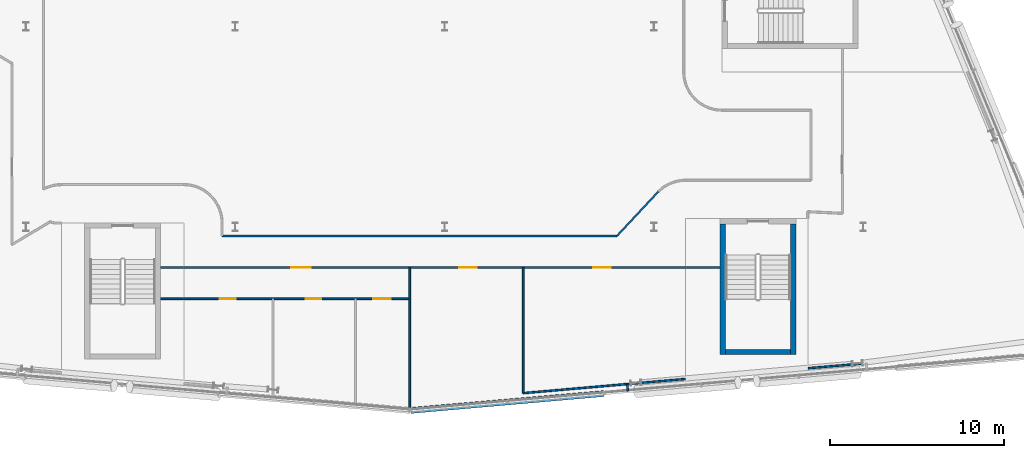
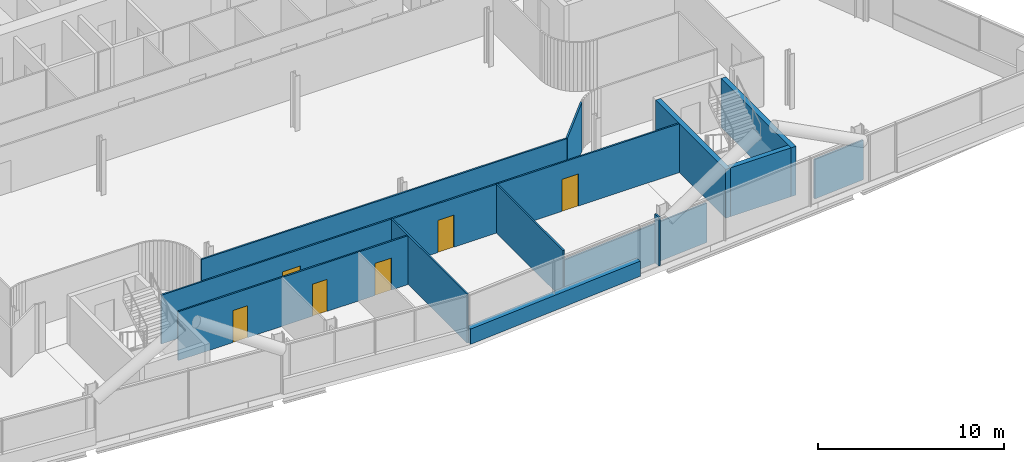
# One storey, part 16 of 29: 13 walls, 6 doors, 6 openings.
"""IFC4 building model written with IfcOpenShell, lengths in metres."""

from ifc_helpers import new_model, si_unit, direction, frame, frame_2d, origin, place, context, subcontext, project, spatial, rectangle, extrude, material, layer, layer_set, type_object, element, fill, save


model = new_model("IFC4")

# Units and contexts
model_context = context("Model", 3, precision=1e-05, world=origin(), true_north=direction((0.0, 1.0)))
body_context = subcontext(model_context, "Body", "Model", "MODEL_VIEW")
ifc_project = project(units=[si_unit("LENGTHUNIT", "METRE"), si_unit("AREAUNIT", "SQUARE_METRE"), si_unit("VOLUMEUNIT", "CUBIC_METRE"), si_unit("PLANEANGLEUNIT", "RADIAN"), si_unit("MASSUNIT", "GRAM", prefix="KILO")], contexts=[model_context])

# Site, building, storey
site_placement = place(None, origin())
site = spatial("IfcSite", under=ifc_project, at=site_placement, CompositionType="ELEMENT")
building_placement = place(site_placement, origin())
building = spatial("IfcBuilding", under=site, at=building_placement, Name="Wharfspan Tower", CompositionType="ELEMENT")
storey_placement = place(building_placement, frame((0.0, 0.0, 162.699951)))
storey = spatial("IfcBuildingStorey", under=building, at=storey_placement, Name="L39", CompositionType="ELEMENT", Elevation=162.699951)

# Wall, openings, doors
ifc_material_1 = material(Name="Gypsum board on steel studs", Category="steel")
ifc_layer_1 = layer(ifc_material_1, 0.100098)
ifc_layer_set_1 = layer_set([ifc_layer_1], Name="Gypsum board on steel studs")
wall_type_1 = type_object("IfcWallType", Name="Compartment wall 100 EI 60", PredefinedType="PARTITIONING", material=ifc_layer_set_1)
wall_1_placement = place(storey_placement, frame((31.714111, 9.179932, 0.0), z_axis=(0.0, 0.0, 1.0), x_axis=(1.0, 0.0, 0.0)))
wall_1 = element("IfcWall", 1, at=wall_1_placement, inside=storey, type_object=wall_type_1, Name="Partition L39.w029", PredefinedType="PARTITIONING", context=body_context, shape_type="SweptSolid", body=[
    extrude(rectangle(XDim=32.072266, YDim=0.100098, at=frame_2d((16.036133, 0.0))), origin(), (0.0, 0.0, 1.0), 3.199951),
])
opening_1_placement = place(wall_1_placement, frame((7.496582, 0.0, 0.0)))
opening_1 = element("IfcOpeningElement", 2, at=opening_1_placement, cuts=wall_1, Name="Opening C2-04", PredefinedType="OPENING", context=body_context, shape_type="SweptSolid", body=[
    extrude(rectangle(XDim=1.100098, YDim=2.100098, at=frame_2d((0.550049, 1.050049))), frame((0.0, 0.060059, 0.0), z_axis=(0.0, -1.0, 0.0), x_axis=(1.0, 0.0, 0.0)), (0.0, 0.0, 1.0), 0.120117),
])
opening_2_placement = place(wall_1_placement, frame((17.11084, 0.0, 0.0)))
opening_2 = element("IfcOpeningElement", 3, at=opening_2_placement, cuts=wall_1, Name="Opening C2-05", PredefinedType="OPENING", context=body_context, shape_type="SweptSolid", body=[
    extrude(rectangle(XDim=1.0, YDim=2.100098, at=frame_2d((0.5, 1.050049))), frame((0.0, 0.060059, 0.0), z_axis=(0.0, -1.0, 0.0), x_axis=(1.0, 0.0, 0.0)), (0.0, 0.0, 1.0), 0.120117),
])
opening_3_placement = place(wall_1_placement, frame((24.810791, 0.0, 0.0)))
opening_3 = element("IfcOpeningElement", 4, at=opening_3_placement, cuts=wall_1, Name="Opening C2-06", PredefinedType="OPENING", context=body_context, shape_type="SweptSolid", body=[
    extrude(rectangle(XDim=1.0, YDim=2.100098, at=frame_2d((0.5, 1.050049))), frame((0.0, 0.060059, 0.0), z_axis=(0.0, -1.0, 0.0), x_axis=(1.0, 0.0, 0.0)), (0.0, 0.0, 1.0), 0.120117),
])
ifc_material_2 = material(Name="Fire-rated timber door leaf in steel frame", Category="steel")
door_type_1 = type_object("IfcDoorType", Name="Door 1000 FD30S Right", OperationType="SINGLE_SWING_RIGHT", PredefinedType="DOOR", material=ifc_material_2)
door_1_placement = place(opening_2_placement, origin())
door_1 = element("IfcDoor", 5, at=door_1_placement, inside=storey, type_object=door_type_1, Name="Door C2-05", OperationType="SINGLE_SWING_RIGHT", OverallHeight=2.100098, OverallWidth=1.0, PredefinedType="DOOR", context=body_context, shape_type="SweptSolid", body=[
    extrude(rectangle(XDim=1.0, YDim=2.100098, at=frame_2d((0.5, 1.050049))), frame((0.0, 0.024902, 0.0), z_axis=(0.0, -1.0, 0.0), x_axis=(1.0, 0.0, 0.0)), (0.0, 0.0, 1.0), 0.050049),
])
fill(opening_2, door_1)
door_2_placement = place(opening_3_placement, origin())
door_2 = element("IfcDoor", 6, at=door_2_placement, inside=storey, type_object=door_type_1, Name="Door C2-06", OperationType="SINGLE_SWING_RIGHT", OverallHeight=2.100098, OverallWidth=1.0, PredefinedType="DOOR", context=body_context, shape_type="SweptSolid", body=[
    extrude(rectangle(XDim=1.0, YDim=2.100098, at=frame_2d((0.5, 1.050049))), frame((0.0, 0.024902, 0.0), z_axis=(0.0, -1.0, 0.0), x_axis=(1.0, 0.0, 0.0)), (0.0, 0.0, 1.0), 0.050049),
])
fill(opening_3, door_2)
door_type_2 = type_object("IfcDoorType", Name="Door 1100 FD30S Left", OperationType="SINGLE_SWING_LEFT", PredefinedType="DOOR", material=ifc_material_2)
door_3_placement = place(opening_1_placement, origin())
door_3 = element("IfcDoor", 7, at=door_3_placement, inside=storey, type_object=door_type_2, Name="Door C2-04", OperationType="SINGLE_SWING_LEFT", OverallHeight=2.100098, OverallWidth=1.100098, PredefinedType="DOOR", context=body_context, shape_type="SweptSolid", body=[
    extrude(rectangle(XDim=1.100098, YDim=2.100098, at=frame_2d((0.550049, 1.050049))), frame((0.0, 0.024902, 0.0), z_axis=(0.0, -1.0, 0.0), x_axis=(1.0, 0.0, 0.0)), (0.0, 0.0, 1.0), 0.050049),
])
fill(opening_1, door_3)

# Walls
wall_2_placement = place(storey_placement, frame((35.23999, 10.98999, 0.0), z_axis=(0.0, 0.0, 1.0), x_axis=(1.0, 0.0, 0.0)))
element("IfcWall", 8, at=wall_2_placement, inside=storey, type_object=wall_type_1, Name="Partition L39.w048", PredefinedType="PARTITIONING", context=body_context, shape_type="SweptSolid", body=[
    extrude(rectangle(XDim=22.63501, YDim=0.100098, at=frame_2d((11.317383, 0.0))), origin(), (0.0, 0.0, 1.0), 3.199951),
])
wall_3_placement = place(storey_placement, frame((46.0, 1.008057, 0.0), z_axis=(0.0, 0.0, 1.0), x_axis=(0.0, 1.0, 0.0)))
element("IfcWall", 9, at=wall_3_placement, inside=storey, type_object=wall_type_1, Name="Partition L39.w055", PredefinedType="PARTITIONING", context=body_context, shape_type="SweptSolid", body=[
    extrude(rectangle(XDim=8.171875, YDim=0.100098, at=frame_2d((4.085938, 0.0))), origin(), (0.0, 0.0, 1.0), 3.199951),
])
wall_4_placement = place(storey_placement, frame((52.5, 1.97998, 0.0), z_axis=(0.0, 0.0, 1.0), x_axis=(0.0, 1.0, 0.0)))
element("IfcWall", 10, at=wall_4_placement, inside=storey, type_object=wall_type_1, Name="Partition L39.w058", PredefinedType="PARTITIONING", context=body_context, shape_type="SweptSolid", body=[
    extrude(rectangle(XDim=7.205078, YDim=0.100098, at=frame_2d((3.602539, 0.0))), origin(), (0.0, 0.0, 1.0), 3.199951),
])
wall_5_placement = place(storey_placement, frame((57.875, 10.98999, 0.0), z_axis=(0.0, 0.0, 1.0), x_axis=(0.68229, 0.731075, 0.0)))
element("IfcWall", 11, at=wall_5_placement, inside=storey, type_object=wall_type_1, Name="Partition L39.w063", PredefinedType="PARTITIONING", context=body_context, shape_type="SweptSolid", body=[
    extrude(rectangle(XDim=3.488037, YDim=0.100098, at=frame_2d((1.744141, 0.0))), origin(), (0.0, 0.0, 1.0), 3.199951),
])

# Wall, openings, doors
ifc_layer_2 = layer(ifc_material_1, 0.100098)
ifc_layer_set_2 = layer_set([ifc_layer_2], Name="Gypsum board on steel studs")
wall_type_2 = type_object("IfcWallType", Name="Partition 100", PredefinedType="PARTITIONING", material=ifc_layer_set_2)
wall_6_placement = place(storey_placement, frame((31.714111, 7.38501, 0.0), z_axis=(0.0, 0.0, 1.0), x_axis=(1.0, 0.0, 0.0)))
wall_6 = element("IfcWall", 12, at=wall_6_placement, inside=storey, type_object=wall_type_2, Name="Partition L39.w028", PredefinedType="PARTITIONING", context=body_context, shape_type="SweptSolid", body=[
    extrude(rectangle(XDim=14.285889, YDim=0.100098, at=frame_2d((7.143066, 0.0))), origin(), (0.0, 0.0, 1.0), 3.199951),
])
opening_4_placement = place(wall_6_placement, frame((3.397705, 0.0, 0.0)))
opening_4 = element("IfcOpeningElement", 13, at=opening_4_placement, cuts=wall_6, Name="Opening C2-01", PredefinedType="OPENING", context=body_context, shape_type="SweptSolid", body=[
    extrude(rectangle(XDim=0.899902, YDim=2.100098, at=frame_2d((0.449951, 1.050049))), frame((0.0, 0.060059, 0.0), z_axis=(0.0, -1.0, 0.0), x_axis=(1.0, 0.0, 0.0)), (0.0, 0.0, 1.0), 0.120117),
])
opening_5_placement = place(wall_6_placement, frame((8.317627, 0.0, 0.0)))
opening_5 = element("IfcOpeningElement", 14, at=opening_5_placement, cuts=wall_6, Name="Opening C2-02", PredefinedType="OPENING", context=body_context, shape_type="SweptSolid", body=[
    extrude(rectangle(XDim=0.899902, YDim=2.100098, at=frame_2d((0.449951, 1.050049))), frame((0.0, 0.060059, 0.0), z_axis=(0.0, -1.0, 0.0), x_axis=(1.0, 0.0, 0.0)), (0.0, 0.0, 1.0), 0.120117),
])
opening_6_placement = place(wall_6_placement, frame((12.197754, 0.0, 0.0)))
opening_6 = element("IfcOpeningElement", 15, at=opening_6_placement, cuts=wall_6, Name="Opening C2-03", PredefinedType="OPENING", context=body_context, shape_type="SweptSolid", body=[
    extrude(rectangle(XDim=1.0, YDim=2.100098, at=frame_2d((0.5, 1.050049))), frame((0.0, 0.060059, 0.0), z_axis=(0.0, -1.0, 0.0), x_axis=(1.0, 0.0, 0.0)), (0.0, 0.0, 1.0), 0.120117),
])
ifc_material_3 = material(Name="Timber door leaf in steel frame", Category="steel")
door_type_3 = type_object("IfcDoorType", Name="Door 1000 NOT RATED Right", OperationType="SINGLE_SWING_RIGHT", PredefinedType="DOOR", material=ifc_material_3)
door_4_placement = place(opening_6_placement, origin())
door_4 = element("IfcDoor", 16, at=door_4_placement, inside=storey, type_object=door_type_3, Name="Door C2-03", OperationType="SINGLE_SWING_RIGHT", OverallHeight=2.100098, OverallWidth=1.0, PredefinedType="DOOR", context=body_context, shape_type="SweptSolid", body=[
    extrude(rectangle(XDim=1.0, YDim=2.100098, at=frame_2d((0.5, 1.050049))), frame((0.0, 0.024902, 0.0), z_axis=(0.0, -1.0, 0.0), x_axis=(1.0, 0.0, 0.0)), (0.0, 0.0, 1.0), 0.050049),
])
fill(opening_6, door_4)
door_type_4 = type_object("IfcDoorType", Name="Door 900 NOT RATED Left", OperationType="SINGLE_SWING_LEFT", PredefinedType="DOOR", material=ifc_material_3)
door_5_placement = place(opening_4_placement, origin())
door_5 = element("IfcDoor", 17, at=door_5_placement, inside=storey, type_object=door_type_4, Name="Door C2-01", OperationType="SINGLE_SWING_LEFT", OverallHeight=2.100098, OverallWidth=0.899902, PredefinedType="DOOR", context=body_context, shape_type="SweptSolid", body=[
    extrude(rectangle(XDim=0.899902, YDim=2.100098, at=frame_2d((0.449951, 1.050049))), frame((0.0, 0.024902, 0.0), z_axis=(0.0, -1.0, 0.0), x_axis=(1.0, 0.0, 0.0)), (0.0, 0.0, 1.0), 0.050049),
])
fill(opening_4, door_5)
door_type_5 = type_object("IfcDoorType", Name="Door 900 NOT RATED Right", OperationType="SINGLE_SWING_RIGHT", PredefinedType="DOOR", material=ifc_material_3)
door_6_placement = place(opening_5_placement, origin())
door_6 = element("IfcDoor", 18, at=door_6_placement, inside=storey, type_object=door_type_5, Name="Door C2-02", OperationType="SINGLE_SWING_RIGHT", OverallHeight=2.100098, OverallWidth=0.899902, PredefinedType="DOOR", context=body_context, shape_type="SweptSolid", body=[
    extrude(rectangle(XDim=0.899902, YDim=2.100098, at=frame_2d((0.449951, 1.050049))), frame((0.0, 0.024902, 0.0), z_axis=(0.0, -1.0, 0.0), x_axis=(1.0, 0.0, 0.0)), (0.0, 0.0, 1.0), 0.050049),
])
fill(opening_5, door_6)

# Walls
wall_7_placement = place(storey_placement, frame((52.5, 1.97998, 0.0), z_axis=(0.0, 0.0, 1.0), x_axis=(0.99622, 0.086844, 0.0)))
element("IfcWall", 19, at=wall_7_placement, inside=storey, type_object=wall_type_2, Name="Partition L39.w059", PredefinedType="PARTITIONING", context=body_context, shape_type="SweptSolid", body=[
    extrude(rectangle(XDim=9.327637, YDim=0.100098, at=frame_2d((4.663818, 0.0))), origin(), (0.0, 0.0, 1.0), 2.580078),
])
wall_8_placement = place(storey_placement, frame((58.498291, 2.101562, 0.0), z_axis=(0.0, 0.0, 1.0), x_axis=(-0.083045, 0.996542, 0.0)))
element("IfcWall", 20, at=wall_8_placement, inside=storey, type_object=wall_type_2, Name="Partition L39.w066", PredefinedType="PARTITIONING", context=body_context, shape_type="SweptSolid", body=[
    extrude(rectangle(XDim=0.399902, YDim=0.100098, at=frame_2d((0.199951, 0.0))), origin(), (0.0, 0.0, 1.0), 3.199951),
])
wall_9_placement = place(storey_placement, frame((68.831299, 3.406738, 0.0), z_axis=(0.0, 0.0, 1.0), x_axis=(0.996308, 0.085898, 0.0)))
element("IfcWall", 21, at=wall_9_placement, inside=storey, type_object=wall_type_2, Name="Partition L39.w098", PredefinedType="PARTITIONING", context=body_context, shape_type="SweptSolid", body=[
    extrude(rectangle(XDim=3.18042, YDim=0.100098, at=frame_2d((1.590332, 0.0))), origin(), (0.0, 0.0, 1.0), 2.580078),
])
ifc_material_4 = material(Name="Concrete C40/50", Category="concrete")
ifc_layer_3 = layer(ifc_material_4, 0.350098)
ifc_layer_set_3 = layer_set([ifc_layer_3], Name="Concrete C40/50")
wall_type_3 = type_object("IfcWallType", Name="SPANDREL EXPOSED CONCRETE 350", PredefinedType="SOLIDWALL", material=ifc_layer_set_3)
wall_10_placement = place(storey_placement, frame((46.04541, 0.986816, 0.0), z_axis=(0.0, 0.0, 1.0), x_axis=(0.996193, 0.087171, 0.0)))
element("IfcWall", 22, at=wall_10_placement, inside=storey, type_object=wall_type_3, Name="Spandrel upstand L39 S2 1", PredefinedType="SOLIDWALL", context=body_context, shape_type="SweptSolid", body=[
    extrude(rectangle(XDim=11.110352, YDim=0.350098, at=frame_2d((5.555176, 0.0))), origin(), (0.0, 0.0, 1.0), 1.0),
])
ifc_layer_4 = layer(ifc_material_4, 0.300049)
ifc_layer_set_4 = layer_set([ifc_layer_4], Name="Concrete C40/50")
wall_type_4 = type_object("IfcWallType", Name="Stair core wall 300", PredefinedType="SHEAR", material=ifc_layer_set_4)
for number, where, z_axis, x_axis, name in (
    (23, (63.936279, 4.183594, 0.0), (0.0, 0.0, 1.0), (0.0, 1.0, 0.0), "ST5 stair enclosure wall L39"),
    (24, (67.986328, 4.183594, 0.0), (0.0, 0.0, 1.0), (0.0, 1.0, 0.0), "ST5 stair enclosure wall L39"),
):
    element("IfcWall", number, at=place(storey_placement, frame(where, z_axis=z_axis, x_axis=x_axis)), inside=storey, type_object=wall_type_4, Name=name, PredefinedType="SHEAR", context=body_context, shape_type="SweptSolid", body=[
        extrude(rectangle(XDim=7.5, YDim=0.300049, at=frame_2d((3.75, 0.0))), origin(), (0.0, 0.0, 1.0), 3.199951),
    ])
wall_11_placement = place(storey_placement, frame((64.086426, 4.33374, 0.0), z_axis=(0.0, 0.0, 1.0), x_axis=(1.0, 0.0, 0.0)))
element("IfcWall", 25, at=wall_11_placement, inside=storey, type_object=wall_type_4, Name="ST5 stair enclosure wall L39", PredefinedType="SHEAR", context=body_context, shape_type="SweptSolid", body=[
    extrude(rectangle(XDim=3.75, YDim=0.300049, at=frame_2d((1.875, 0.0))), origin(), (0.0, 0.0, 1.0), 3.199951),
])

save(model, "model.ifc")
